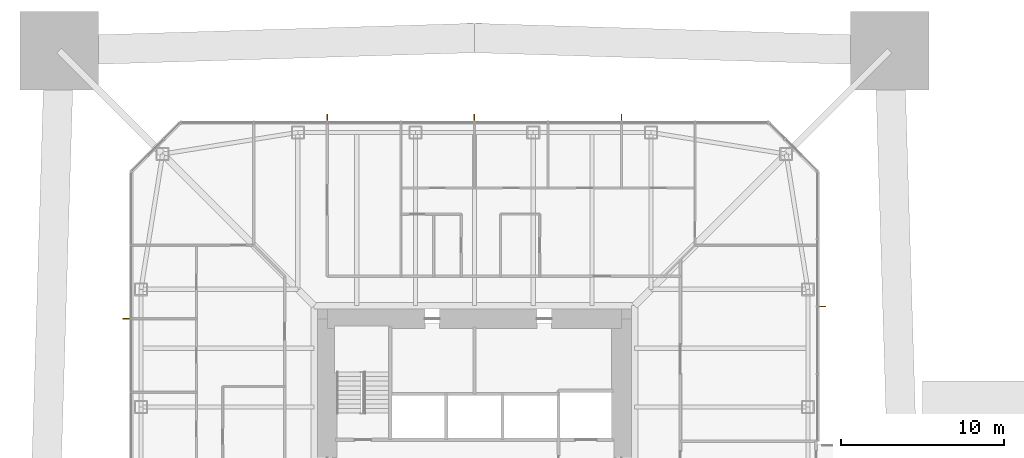
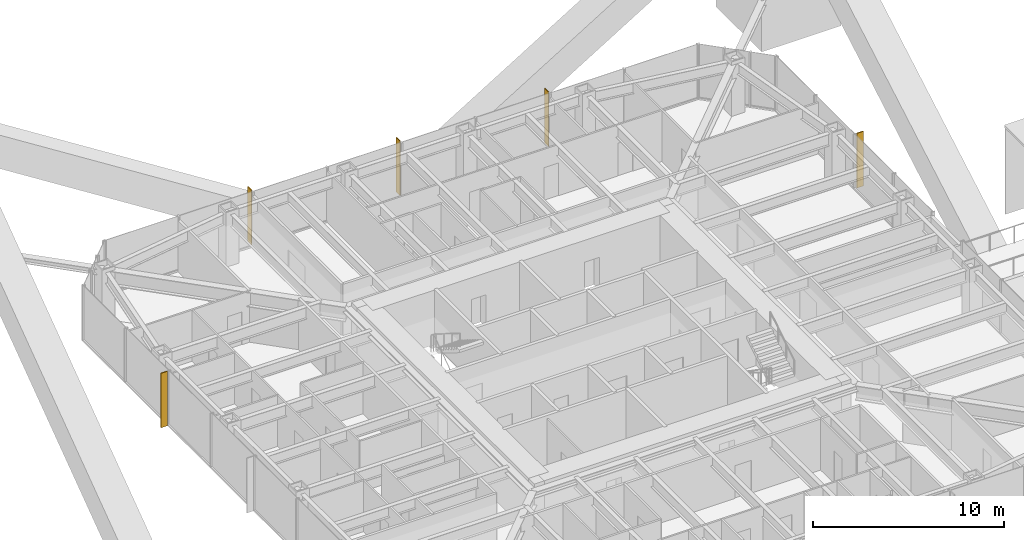
# One storey, part 27 of 28: 5 shading devices.
"""IFC4 building model written with IfcOpenShell, lengths in metres."""

from ifc_helpers import new_model, si_unit, direction, frame, origin, origin_2d, place, context, subcontext, project, spatial, rectangle, extrude, material, layer, layer_set, type_object, element, save


model = new_model("IFC4")

# Units and contexts
model_context = context("Model", 3, precision=1e-05, world=origin(), true_north=direction((0.0, 1.0)))
body_context = subcontext(model_context, "Body", "Model", "MODEL_VIEW")
ifc_project = project(units=[si_unit("LENGTHUNIT", "METRE"), si_unit("AREAUNIT", "SQUARE_METRE"), si_unit("VOLUMEUNIT", "CUBIC_METRE"), si_unit("PLANEANGLEUNIT", "RADIAN"), si_unit("MASSUNIT", "GRAM", prefix="KILO")], contexts=[model_context])

# Site, building, storey
site_placement = place(None, origin())
site = spatial("IfcSite", under=ifc_project, at=site_placement, CompositionType="ELEMENT")
building_placement = place(site_placement, origin())
building = spatial("IfcBuilding", under=site, at=building_placement, Name="Iwan Alto Co-Living Towers", CompositionType="ELEMENT")
storey_placement = place(building_placement, frame((0.0, 0.0, 98.0)))
storey = spatial("IfcBuildingStorey", under=building, at=storey_placement, Name="L26", CompositionType="ELEMENT", Elevation=98.0)

# Shading devices
ifc_material = material(Name="Aluminium 6063-T6 bronze anodised", Category="aluminium")
ifc_layer = layer(ifc_material, 0.050048828125)
ifc_layer_set = layer_set([ifc_layer], Name="BRONZE FIN 50X400")
shading_device_type = type_object("IfcShadingDeviceType", Name="BRONZE FIN 50X400", PredefinedType="USERDEFINED", material=ifc_layer_set)
for number, where, z_axis, x_axis, name in (
    (1, (21.300048828125, 9.75, 0.0), (0.0, 0.0, 1.0), (0.0, 1.0, 0.0), "Bronze fin L26"),
    (2, (9.0, 21.300048828125, 0.0), (0.0, 0.0, 1.0), (-1.0, 0.0, 0.0), "Bronze fin L26"),
    (3, (0.0, 21.300048828125, 0.0), (0.0, 0.0, 1.0), (-1.0, 0.0, 0.0), "Bronze fin L26"),
    (4, (-9.0, 21.300048828125, 0.0), (0.0, 0.0, 1.0), (-1.0, 0.0, 0.0), "Bronze fin L26"),
    (5, (-21.300048828125, 9.0, 0.0), (0.0, 0.0, 1.0), (0.0, -1.0, 0.0), "Bronze fin L26"),
):
    element("IfcShadingDevice", number, at=place(storey_placement, frame(where, z_axis=z_axis, x_axis=x_axis)), inside=storey, type_object=shading_device_type, Name=name, ObjectType="LOUVER", PredefinedType="USERDEFINED", context=body_context, shape_type="SweptSolid", body=[
        extrude(rectangle(XDim=0.050048828125, YDim=0.39990234375, at=origin_2d()), origin(), (0.0, 0.0, 1.0), 3.5),
    ])

save(model, "model.ifc")
